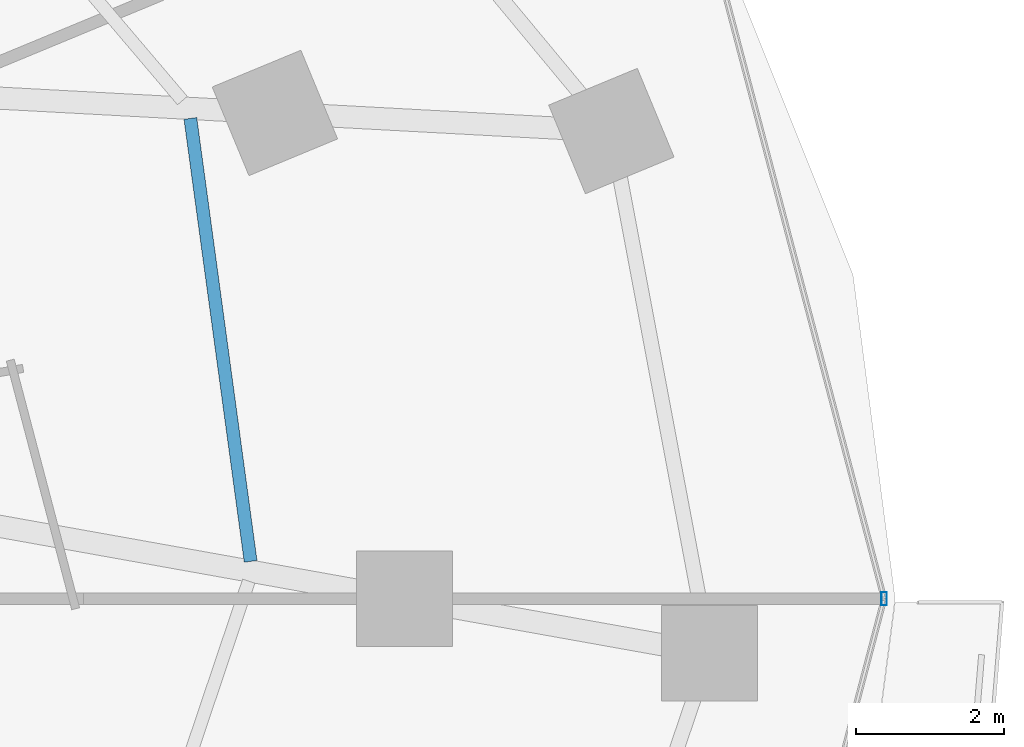
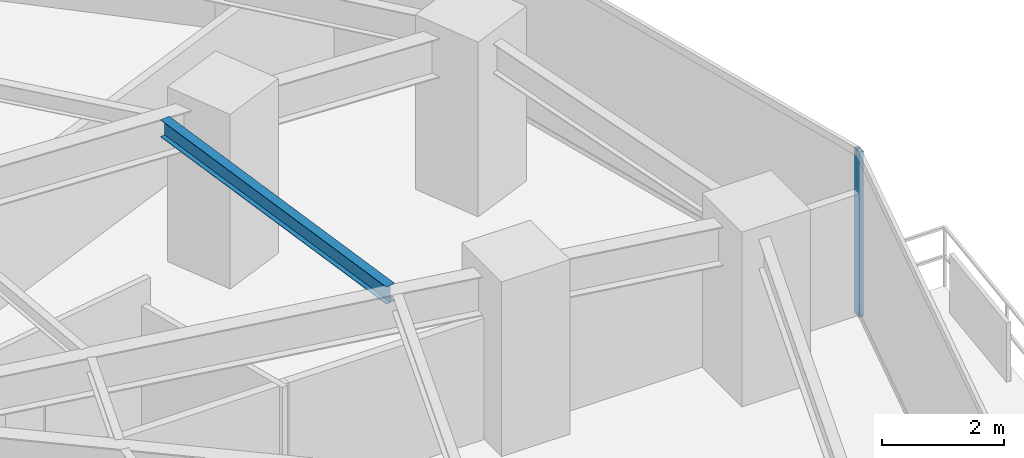
# One storey, part 16 of 36: 1 beam, 1 member, 1 element without a shape of its own.
"""IFC4 building model written with IfcOpenShell, lengths in metres."""

from ifc_helpers import new_model, si_unit, direction, frame, origin, origin_2d, place, context, subcontext, project, spatial, hollow_rectangle, i_section, extrude, material, material_profile, profile_set, type_object, element, aggregate, save


model = new_model("IFC4")

# Units and contexts
model_context = context("Model", 3, precision=1e-05, world=origin(), true_north=direction((0.0, 1.0)))
body_context = subcontext(model_context, "Body", "Model", "MODEL_VIEW")
ifc_project = project(units=[si_unit("LENGTHUNIT", "METRE"), si_unit("AREAUNIT", "SQUARE_METRE"), si_unit("VOLUMEUNIT", "CUBIC_METRE"), si_unit("PLANEANGLEUNIT", "RADIAN"), si_unit("MASSUNIT", "GRAM", prefix="KILO")], contexts=[model_context])

# Site, building, storey
site_placement = place(None, origin())
site = spatial("IfcSite", under=ifc_project, at=site_placement, CompositionType="ELEMENT")
building_placement = place(site_placement, origin())
building = spatial("IfcBuilding", under=site, at=building_placement, Name="Vorneva Point Tower", CompositionType="ELEMENT")
storey_placement = place(building_placement, frame((0.0, 0.0, 24.0)))
storey = spatial("IfcBuildingStorey", under=building, at=storey_placement, Name="L05", CompositionType="ELEMENT", Elevation=24.0)

# Beam
ifc_material_1 = material(Name="Steel S355", Category="steel")
ifc_material_profile_1 = material_profile(ifc_material_1, i_section(OverallWidth=0.174072265625, OverallDepth=0.345947265625, WebThickness=0.006103515625, FlangeThickness=0.009033203125, at=origin_2d()), Name="35B1")
ifc_profile_set_1 = profile_set([ifc_material_profile_1], Name="Steel S355")
beam_type = type_object("IfcBeamType", Name="BM-SEC-35B1", PredefinedType="BEAM", material=ifc_profile_set_1)
beam_placement = place(storey_placement, frame((58.966552734375, 26.506103515625, 3.06689453125), z_axis=(-0.134821822174, 0.99086985839, 0.0), x_axis=(-0.99086985839, -0.134821822174, 0.0)))
element("IfcBeam", 1, at=beam_placement, inside=storey, type_object=beam_type, Name="L05 Secondary Floor Beam 1.01", PredefinedType="BEAM", context=body_context, shape_type="SweptSolid", body=[
    extrude(i_section(OverallWidth=0.174072265625, OverallDepth=0.345947265625, WebThickness=0.006103515625, FlangeThickness=0.009033203125, at=origin_2d()), origin(), (0.0, 0.0, 1.0), 6.057373046875),
])

# Curtain wall, member
ifc_material_2 = material(Name="Pale anodised aluminium", Category="aluminium")
curtain_wall_type = type_object("IfcCurtainWallType", Name="CW-HTL-SYS", PredefinedType="NOTDEFINED", material=ifc_material_2)
curtain_wall_placement = place(storey_placement, origin())
curtain_wall = element("IfcCurtainWall", 2, at=curtain_wall_placement, inside=storey, type_object=curtain_wall_type, Name="L05 Unitised Curtain Wall CW-L05-R01", PredefinedType="NOTDEFINED")
ifc_material_profile_2 = material_profile(ifc_material_2, hollow_rectangle(XDim=0.074951171875, YDim=0.179931640625, WallThickness=0.00390625, at=origin_2d()), Name="AL-MUL 180x75x4")
ifc_profile_set_2 = profile_set([ifc_material_profile_2], Name="Pale anodised aluminium")
member_type = type_object("IfcMemberType", Name="CW-MUL-180", PredefinedType="MULLION", material=ifc_profile_set_2)
member_placement = place(storey_placement, frame((67.550048828125, 26.0, -0.0400390625), z_axis=(0.0, 0.0, 1.0), x_axis=(1.0, 0.0, 0.0)))
member = element("IfcMember", 3, at=member_placement, type_object=member_type, Name="CW-L05-R01 Mullion 03", PredefinedType="MULLION", context=body_context, shape_type="SweptSolid", body=[
    extrude(hollow_rectangle(XDim=0.074951171875, YDim=0.179931640625, WallThickness=0.00390625, at=origin_2d()), origin(), (0.0, 0.0, 1.0), 3.31005859375),
])
aggregate(curtain_wall, [member])

save(model, "model.ifc")
